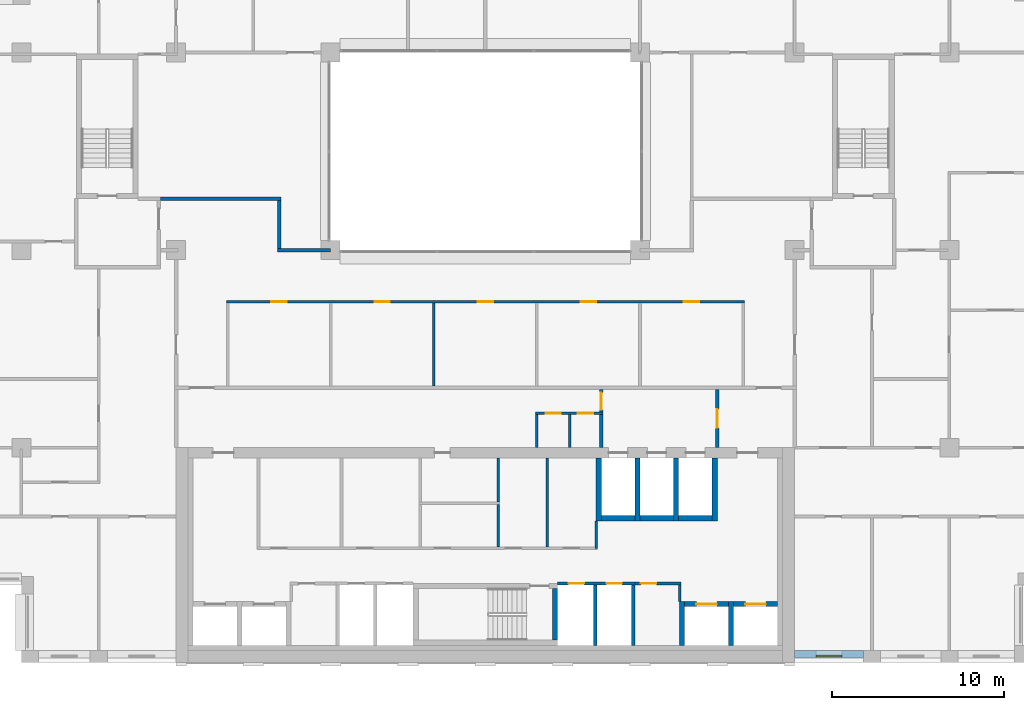
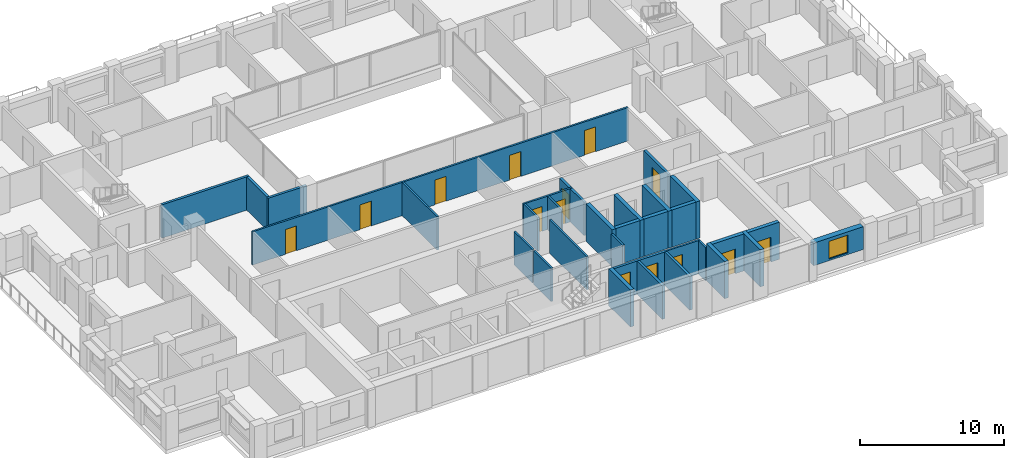
# One storey, part 10 of 15: 33 walls, 14 doors, 1 window, 15 openings.
"""IFC4 building model written with IfcOpenShell, lengths in metres."""

from ifc_helpers import new_model, si_unit, direction, frame, frame_2d, origin, place, context, subcontext, project, spatial, rectangle, extrude, material, layer, layer_set, type_object, element, fill, save


model = new_model("IFC4")

# Units and contexts
model_context = context("Model", 3, precision=1e-05, world=origin(), true_north=direction((0.0, 1.0)))
body_context = subcontext(model_context, "Body", "Model", "MODEL_VIEW")
ifc_project = project(units=[si_unit("LENGTHUNIT", "METRE"), si_unit("AREAUNIT", "SQUARE_METRE"), si_unit("VOLUMEUNIT", "CUBIC_METRE"), si_unit("PLANEANGLEUNIT", "RADIAN"), si_unit("MASSUNIT", "GRAM", prefix="KILO")], contexts=[model_context])

# Site, building, storey
site_placement = place(None, origin())
site = spatial("IfcSite", under=ifc_project, at=site_placement, CompositionType="ELEMENT")
building_placement = place(site_placement, origin())
building = spatial("IfcBuilding", under=site, at=building_placement, Name="Brigalow Station Residences", CompositionType="ELEMENT")
storey_placement = place(building_placement, frame((0.0, 0.0, 147.60009765625)))
storey = spatial("IfcBuildingStorey", under=building, at=storey_placement, Name="L42", CompositionType="ELEMENT", Elevation=147.60009765625)

# Wall, opening, window
ifc_material_1 = material(Name="Clay brick masonry", Category="masonry")
ifc_layer_1 = layer(ifc_material_1, 0.449951171875)
ifc_layer_set_1 = layer_set([ifc_layer_1], Name="BRICK INFILL WALL 450")
wall_type_1 = type_object("IfcWallType", Name="BRICK INFILL WALL 450", PredefinedType="SOLIDWALL", material=ifc_layer_set_1)
wall_1_placement = place(storey_placement, frame((54.0, 0.47509765625, 0.89990234375), z_axis=(0.0, 0.0, 1.0), x_axis=(1.0, 0.0, 0.0)))
wall_1 = element("IfcWall", 1, at=wall_1_placement, inside=storey, type_object=wall_type_1, Name="L42/ewall/W-L42-4", PredefinedType="SOLIDWALL", context=body_context, shape_type="SweptSolid", body=[
    extrude(rectangle(XDim=4.0, YDim=0.449951171875, at=frame_2d((2.0, 0.0))), origin(), (0.0, 0.0, 1.0), 1.929931640625),
])
opening_1_placement = place(wall_1_placement, frame((1.25, 0.0, 0.14990234375)))
opening_1 = element("IfcOpeningElement", 2, at=opening_1_placement, cuts=wall_1, Name="Opening WT-1", PredefinedType="OPENING", context=body_context, shape_type="SweptSolid", body=[
    extrude(rectangle(XDim=1.5, YDim=1.5, at=frame_2d((0.75, 0.75))), frame((0.0, 0.23486328125, 0.0), z_axis=(0.0, -1.0, 0.0), x_axis=(1.0, 0.0, 0.0)), (0.0, 0.0, 1.0), 0.469970703125),
])
ifc_material_2 = material(Name="Anodised aluminium frame with double glazing", Category="aluminium")
window_type = type_object("IfcWindowType", Name="WINDOW 1500x1500", PartitioningType="SINGLE_PANEL", PredefinedType="WINDOW", material=ifc_material_2)
window_placement = place(opening_1_placement, origin())
window = element("IfcWindow", 3, at=window_placement, inside=storey, type_object=window_type, Name="L42/window/W-L42-4", OverallHeight=1.5, OverallWidth=1.5, PartitioningType="SINGLE_PANEL", PredefinedType="WINDOW", context=body_context, shape_type="SweptSolid", body=[
    extrude(rectangle(XDim=1.5, YDim=1.5, at=frame_2d((0.75, 0.75))), frame((0.0, -0.06494140625, 0.0), z_axis=(0.0, -1.0, 0.0), x_axis=(1.0, 0.0, 0.0)), (0.0, 0.0, 1.0), 0.06005859375),
])
fill(opening_1, window)

# Walls
ifc_material_3 = material(Name="Concrete C65", Category="concrete")
ifc_layer_2 = layer(ifc_material_3, 0.300048828125)
ifc_layer_set_2 = layer_set([ifc_layer_2], Name="CORE SHEAR WALL 300 C65")
wall_type_2 = type_object("IfcWallType", Name="CORE SHEAR WALL 300 C65", PredefinedType="SHEAR", material=ifc_layer_set_2)
wall_2_placement = place(storey_placement, frame((42.75, 8.39990234375, 0.0), z_axis=(0.0, 0.0, 1.0), x_axis=(1.0, 0.0, 0.0)))
element("IfcWall", 4, at=wall_2_placement, inside=storey, type_object=wall_type_2, Name="CORE WALL SH-FF1-S L42", PredefinedType="SHEAR", context=body_context, shape_type="SweptSolid", body=[
    extrude(rectangle(XDim=1.949951171875, YDim=0.300048828125, at=frame_2d((0.97509765625, 0.0))), origin(), (0.0, 0.0, 1.0), 3.14990234375),
])
wall_3_placement = place(storey_placement, frame((42.60009765625, 8.25, 0.0), z_axis=(0.0, 0.0, 1.0), x_axis=(0.0, 1.0, 0.0)))
element("IfcWall", 5, at=wall_3_placement, inside=storey, type_object=wall_type_2, Name="CORE WALL SH-FF1-W L42", PredefinedType="SHEAR", context=body_context, shape_type="SweptSolid", body=[
    extrude(rectangle(XDim=3.64990234375, YDim=0.300048828125, at=frame_2d((1.824951171875, 0.0))), origin(), (0.0, 0.0, 1.0), 3.14990234375),
])
wall_4_placement = place(storey_placement, frame((45.0, 8.39990234375, 0.0), z_axis=(0.0, 0.0, 1.0), x_axis=(1.0, 0.0, 0.0)))
element("IfcWall", 6, at=wall_4_placement, inside=storey, type_object=wall_type_2, Name="CORE WALL SH-FF2-S L42", PredefinedType="SHEAR", context=body_context, shape_type="SweptSolid", body=[
    extrude(rectangle(XDim=1.949951171875, YDim=0.300048828125, at=frame_2d((0.97509765625, 0.0))), origin(), (0.0, 0.0, 1.0), 3.14990234375),
])
wall_5_placement = place(storey_placement, frame((44.85009765625, 8.25, 0.0), z_axis=(0.0, 0.0, 1.0), x_axis=(0.0, 1.0, 0.0)))
element("IfcWall", 7, at=wall_5_placement, inside=storey, type_object=wall_type_2, Name="CORE WALL SH-FF2-W L42", PredefinedType="SHEAR", context=body_context, shape_type="SweptSolid", body=[
    extrude(rectangle(XDim=3.64990234375, YDim=0.300048828125, at=frame_2d((1.824951171875, 0.0))), origin(), (0.0, 0.0, 1.0), 3.14990234375),
])
wall_6_placement = place(storey_placement, frame((47.25, 8.39990234375, 0.0), z_axis=(0.0, 0.0, 1.0), x_axis=(1.0, 0.0, 0.0)))
element("IfcWall", 8, at=wall_6_placement, inside=storey, type_object=wall_type_2, Name="CORE WALL SH-SL1-S L42", PredefinedType="SHEAR", context=body_context, shape_type="SweptSolid", body=[
    extrude(rectangle(XDim=1.949951171875, YDim=0.300048828125, at=frame_2d((0.97509765625, 0.0))), origin(), (0.0, 0.0, 1.0), 3.14990234375),
])
for number, where, z_axis, x_axis, name in (
    (9, (47.10009765625, 8.25, 0.0), (0.0, 0.0, 1.0), (0.0, 1.0, 0.0), "CORE WALL SH-SL1-W L42"),
    (10, (49.35009765625, 8.25, 0.0), (0.0, 0.0, 1.0), (0.0, 1.0, 0.0), "CORE WALL SH-SL1-E L42"),
):
    element("IfcWall", number, at=place(storey_placement, frame(where, z_axis=z_axis, x_axis=x_axis)), inside=storey, type_object=wall_type_2, Name=name, PredefinedType="SHEAR", context=body_context, shape_type="SweptSolid", body=[
        extrude(rectangle(XDim=3.64990234375, YDim=0.300048828125, at=frame_2d((1.824951171875, 0.0))), origin(), (0.0, 0.0, 1.0), 3.14990234375),
    ])

# Wall, opening, door
wall_7_placement = place(storey_placement, frame((47.60009765625, 3.39990234375, 0.0), z_axis=(0.0, 0.0, 1.0), x_axis=(1.0, 0.0, 0.0)))
wall_7 = element("IfcWall", 11, at=wall_7_placement, inside=storey, type_object=wall_type_2, Name="CORE WALL SH-C3-N L42", PredefinedType="SHEAR", context=body_context, shape_type="SweptSolid", body=[
    extrude(rectangle(XDim=2.5498046875, YDim=0.300048828125, at=frame_2d((1.27490234375, 0.0))), origin(), (0.0, 0.0, 1.0), 3.14990234375),
])
opening_2_placement = place(wall_7_placement, frame((0.675048828125, 0.0, 0.0)))
opening_2 = element("IfcOpeningElement", 12, at=opening_2_placement, cuts=wall_7, Name="Opening LD-LB3", PredefinedType="OPENING", context=body_context, shape_type="SweptSolid", body=[
    extrude(rectangle(XDim=1.199951171875, YDim=2.10009765625, at=frame_2d((0.60009765625, 1.050048828125))), frame((0.0, 0.16015625, 0.0), z_axis=(0.0, -1.0, 0.0), x_axis=(1.0, 0.0, 0.0)), (0.0, 0.0, 1.0), 0.320068359375),
])
ifc_material_4 = material(Name="Stainless steel sliding door leaves", Category="steel")
door_type_1 = type_object("IfcDoorType", Name="LIFT LANDING DOOR 1200 x 2100", OperationType="DOUBLE_DOOR_SLIDING", PredefinedType="DOOR", material=ifc_material_4)
door_1_placement = place(opening_2_placement, origin())
door_1 = element("IfcDoor", 13, at=door_1_placement, inside=storey, type_object=door_type_1, Name="LANDING DOOR LB3", OperationType="DOUBLE_DOOR_SLIDING", OverallHeight=2.10009765625, OverallWidth=1.199951171875, PredefinedType="DOOR", context=body_context, shape_type="SweptSolid", body=[
    extrude(rectangle(XDim=1.199951171875, YDim=2.10009765625, at=frame_2d((0.60009765625, 1.050048828125))), frame((0.0, 0.02490234375, 0.0), z_axis=(0.0, -1.0, 0.0), x_axis=(1.0, 0.0, 0.0)), (0.0, 0.0, 1.0), 0.050048828125),
])
fill(opening_2, door_1)

# Wall
wall_8_placement = place(storey_placement, frame((47.449951171875, 1.0, 0.0), z_axis=(0.0, 0.0, 1.0), x_axis=(0.0, 1.0, 0.0)))
element("IfcWall", 14, at=wall_8_placement, inside=storey, type_object=wall_type_2, Name="CORE WALL SH-C3-W L42", PredefinedType="SHEAR", context=body_context, shape_type="SweptSolid", body=[
    extrude(rectangle(XDim=2.550048828125, YDim=0.300048828125, at=frame_2d((1.27490234375, 0.0))), origin(), (0.0, 0.0, 1.0), 3.14990234375),
])

# Wall, opening, door
wall_9_placement = place(storey_placement, frame((50.449951171875, 3.39990234375, 0.0), z_axis=(0.0, 0.0, 1.0), x_axis=(1.0, 0.0, 0.0)))
wall_9 = element("IfcWall", 15, at=wall_9_placement, inside=storey, type_object=wall_type_2, Name="CORE WALL SH-C4-N L42", PredefinedType="SHEAR", context=body_context, shape_type="SweptSolid", body=[
    extrude(rectangle(XDim=2.550048828125, YDim=0.300048828125, at=frame_2d((1.27490234375, 0.0))), origin(), (0.0, 0.0, 1.0), 3.14990234375),
])
opening_3_placement = place(wall_9_placement, frame((0.675048828125, 0.0, 0.0)))
opening_3 = element("IfcOpeningElement", 16, at=opening_3_placement, cuts=wall_9, Name="Opening LD-LB4", PredefinedType="OPENING", context=body_context, shape_type="SweptSolid", body=[
    extrude(rectangle(XDim=1.199951171875, YDim=2.10009765625, at=frame_2d((0.60009765625, 1.050048828125))), frame((0.0, 0.16015625, 0.0), z_axis=(0.0, -1.0, 0.0), x_axis=(1.0, 0.0, 0.0)), (0.0, 0.0, 1.0), 0.320068359375),
])
door_2_placement = place(opening_3_placement, origin())
door_2 = element("IfcDoor", 17, at=door_2_placement, inside=storey, type_object=door_type_1, Name="LANDING DOOR LB4", OperationType="DOUBLE_DOOR_SLIDING", OverallHeight=2.10009765625, OverallWidth=1.199951171875, PredefinedType="DOOR", context=body_context, shape_type="SweptSolid", body=[
    extrude(rectangle(XDim=1.199951171875, YDim=2.10009765625, at=frame_2d((0.60009765625, 1.050048828125))), frame((0.0, 0.02490234375, 0.0), z_axis=(0.0, -1.0, 0.0), x_axis=(1.0, 0.0, 0.0)), (0.0, 0.0, 1.0), 0.050048828125),
])
fill(opening_3, door_2)

# Walls
wall_10_placement = place(storey_placement, frame((50.300048828125, 1.0, 0.0), z_axis=(0.0, 0.0, 1.0), x_axis=(0.0, 1.0, 0.0)))
element("IfcWall", 18, at=wall_10_placement, inside=storey, type_object=wall_type_2, Name="CORE WALL SH-C4-W L42", PredefinedType="SHEAR", context=body_context, shape_type="SweptSolid", body=[
    extrude(rectangle(XDim=2.550048828125, YDim=0.300048828125, at=frame_2d((1.27490234375, 0.0))), origin(), (0.0, 0.0, 1.0), 3.14990234375),
])
wall_11_placement = place(storey_placement, frame((40.050048828125, 1.300048828125, 0.0), z_axis=(0.0, 0.0, 1.0), x_axis=(0.0, 1.0, 0.0)))
element("IfcWall", 19, at=wall_11_placement, inside=storey, type_object=wall_type_2, Name="CORE WALL ST-S2-E L42", PredefinedType="SHEAR", context=body_context, shape_type="SweptSolid", body=[
    extrude(rectangle(XDim=3.0, YDim=0.300048828125, at=frame_2d((1.5, 0.0))), origin(), (0.0, 0.0, 1.0), 3.14990234375),
])

# Wall, openings, doors
ifc_material_5 = material(Name="Concrete blockwork", Category="masonry")
ifc_layer_3 = layer(ifc_material_5, 0.199951171875)
ifc_layer_set_3 = layer_set([ifc_layer_3], Name="FIRE RATED CORE PARTITION 200")
wall_type_3 = type_object("IfcWallType", Name="FIRE RATED CORE PARTITION 200", PredefinedType="PARTITIONING", material=ifc_layer_set_3)
wall_12_placement = place(storey_placement, frame((40.199951171875, 4.60009765625, 0.0), z_axis=(0.0, 0.0, 1.0), x_axis=(1.0, 0.0, 0.0)))
wall_12 = element("IfcWall", 20, at=wall_12_placement, inside=storey, type_object=wall_type_3, Name="PW-5018", PredefinedType="PARTITIONING", context=body_context, shape_type="SweptSolid", body=[
    extrude(rectangle(XDim=4.5, YDim=0.199951171875, at=frame_2d((2.25, 0.0))), origin(), (0.0, 0.0, 1.0), 2.829833984375),
])
opening_4_placement = place(wall_12_placement, frame((0.64990234375, 0.0, 0.0)))
opening_4 = element("IfcOpeningElement", 21, at=opening_4_placement, cuts=wall_12, Name="Opening D-5009", PredefinedType="OPENING", context=body_context, shape_type="SweptSolid", body=[
    extrude(rectangle(XDim=0.89990234375, YDim=2.10009765625, at=frame_2d((0.449951171875, 1.050048828125))), frame((0.0, 0.10986328125, 0.0), z_axis=(0.0, -1.0, 0.0), x_axis=(1.0, 0.0, 0.0)), (0.0, 0.0, 1.0), 0.219970703125),
])
opening_5_placement = place(wall_12_placement, frame((2.85009765625, 0.0, 0.0)))
opening_5 = element("IfcOpeningElement", 22, at=opening_5_placement, cuts=wall_12, Name="Opening D-5010", PredefinedType="OPENING", context=body_context, shape_type="SweptSolid", body=[
    extrude(rectangle(XDim=0.89990234375, YDim=2.10009765625, at=frame_2d((0.449951171875, 1.050048828125))), frame((0.0, 0.10986328125, 0.0), z_axis=(0.0, -1.0, 0.0), x_axis=(1.0, 0.0, 0.0)), (0.0, 0.0, 1.0), 0.219970703125),
])
ifc_material_6 = material(Name="Steel fire door leaf in steel frame", Category="steel")
door_type_2 = type_object("IfcDoorType", Name="RISER ACCESS DOOR 900 x 2100 FD120", OperationType="SINGLE_SWING_LEFT", PredefinedType="DOOR", material=ifc_material_6)
door_3_placement = place(opening_4_placement, frame((0.89990234375, 0.0, 0.0), z_axis=(0.0, 0.0, 1.0), x_axis=(-1.0, 0.0, 0.0)))
door_3 = element("IfcDoor", 23, at=door_3_placement, inside=storey, type_object=door_type_2, Name="D-5009", OperationType="SINGLE_SWING_LEFT", OverallHeight=2.10009765625, OverallWidth=0.89990234375, PredefinedType="DOOR", context=body_context, shape_type="SweptSolid", body=[
    extrude(rectangle(XDim=0.89990234375, YDim=2.10009765625, at=frame_2d((0.449951171875, 1.050048828125))), frame((0.0, 0.02490234375, 0.0), z_axis=(0.0, -1.0, 0.0), x_axis=(1.0, 0.0, 0.0)), (0.0, 0.0, 1.0), 0.050048828125),
])
fill(opening_4, door_3)
door_4_placement = place(opening_5_placement, frame((0.89990234375, 0.0, 0.0), z_axis=(0.0, 0.0, 1.0), x_axis=(-1.0, 0.0, 0.0)))
door_4 = element("IfcDoor", 24, at=door_4_placement, inside=storey, type_object=door_type_2, Name="D-5010", OperationType="SINGLE_SWING_LEFT", OverallHeight=2.10009765625, OverallWidth=0.89990234375, PredefinedType="DOOR", context=body_context, shape_type="SweptSolid", body=[
    extrude(rectangle(XDim=0.89990234375, YDim=2.10009765625, at=frame_2d((0.449951171875, 1.050048828125))), frame((0.0, 0.02490234375, 0.0), z_axis=(0.0, -1.0, 0.0), x_axis=(1.0, 0.0, 0.0)), (0.0, 0.0, 1.0), 0.050048828125),
])
fill(opening_5, door_4)

# Walls
for number, where, z_axis, x_axis, name in (
    (25, (42.39990234375, 1.0, 0.0), (0.0, 0.0, 1.0), (0.0, 1.0, 0.0), "PW-5007"),
    (26, (44.60009765625, 1.0, 0.0), (0.0, 0.0, 1.0), (0.0, 1.0, 0.0), "PW-5008"),
):
    element("IfcWall", number, at=place(storey_placement, frame(where, z_axis=z_axis, x_axis=x_axis)), inside=storey, type_object=wall_type_3, Name=name, PredefinedType="PARTITIONING", context=body_context, shape_type="SweptSolid", body=[
        extrude(rectangle(XDim=3.5, YDim=0.199951171875, at=frame_2d((1.75, 0.0))), origin(), (0.0, 0.0, 1.0), 2.829833984375),
    ])
wall_13_placement = place(storey_placement, frame((42.75, 12.5, 0.0), z_axis=(0.0, 0.0, 1.0), x_axis=(0.0, 1.0, 0.0)))
element("IfcWall", 27, at=wall_13_placement, inside=storey, type_object=wall_type_3, Name="PW-5046", PredefinedType="PARTITIONING", context=body_context, shape_type="SweptSolid", body=[
    extrude(rectangle(XDim=1.925048828125, YDim=0.199951171875, at=frame_2d((0.96240234375, 0.0))), origin(), (0.0, 0.0, 1.0), 2.829833984375),
])

# Wall, opening, door
wall_14_placement = place(storey_placement, frame((49.5, 12.5, 0.0), z_axis=(0.0, 0.0, 1.0), x_axis=(0.0, 1.0, 0.0)))
wall_14 = element("IfcWall", 28, at=wall_14_placement, inside=storey, type_object=wall_type_3, Name="PW-5015", PredefinedType="PARTITIONING", context=body_context, shape_type="SweptSolid", body=[
    extrude(rectangle(XDim=3.39990234375, YDim=0.199951171875, at=frame_2d((1.699951171875, 0.0))), origin(), (0.0, 0.0, 1.0), 2.829833984375),
])
opening_6_placement = place(wall_14_placement, frame((1.14990234375, 0.0, 0.0)))
opening_6 = element("IfcOpeningElement", 29, at=opening_6_placement, cuts=wall_14, Name="Opening D-5014", PredefinedType="OPENING", context=body_context, shape_type="SweptSolid", body=[
    extrude(rectangle(XDim=1.10009765625, YDim=2.10009765625, at=frame_2d((0.550048828125, 1.050048828125))), frame((0.0, 0.10986328125, 0.0), z_axis=(0.0, -1.0, 0.0), x_axis=(1.0, 0.0, 0.0)), (0.0, 0.0, 1.0), 0.219970703125),
])
ifc_material_7 = material(Name="Steel fire door leaf in steel frame", Category="steel")
door_type_3 = type_object("IfcDoorType", Name="LOBBY DOOR 1100 x 2100 FD60S", OperationType="SINGLE_SWING_LEFT", PredefinedType="DOOR", material=ifc_material_7)
door_5_placement = place(opening_6_placement, origin())
door_5 = element("IfcDoor", 30, at=door_5_placement, inside=storey, type_object=door_type_3, Name="D-5014", OperationType="SINGLE_SWING_LEFT", OverallHeight=2.10009765625, OverallWidth=1.10009765625, PredefinedType="DOOR", context=body_context, shape_type="SweptSolid", body=[
    extrude(rectangle(XDim=1.10009765625, YDim=2.10009765625, at=frame_2d((0.550048828125, 1.050048828125))), frame((0.0, 0.02490234375, 0.0), z_axis=(0.0, -1.0, 0.0), x_axis=(1.0, 0.0, 0.0)), (0.0, 0.0, 1.0), 0.050048828125),
])
fill(opening_6, door_5)

wall_15_placement = place(storey_placement, frame((42.75, 14.574951171875, 0.0), z_axis=(0.0, 0.0, 1.0), x_axis=(0.0, 1.0, 0.0)))
wall_15 = element("IfcWall", 31, at=wall_15_placement, inside=storey, type_object=wall_type_3, Name="PW-5047", PredefinedType="PARTITIONING", context=body_context, shape_type="SweptSolid", body=[
    extrude(rectangle(XDim=1.324951171875, YDim=0.199951171875, at=frame_2d((0.66259765625, 0.0))), origin(), (0.0, 0.0, 1.0), 2.829833984375),
])
opening_7_placement = place(wall_15_placement, frame((0.125, 0.0, 0.0)))
opening_7 = element("IfcOpeningElement", 32, at=opening_7_placement, cuts=wall_15, Name="Opening D-5013", PredefinedType="OPENING", context=body_context, shape_type="SweptSolid", body=[
    extrude(rectangle(XDim=1.0, YDim=2.10009765625, at=frame_2d((0.5, 1.050048828125))), frame((0.0, 0.10986328125, 0.0), z_axis=(0.0, -1.0, 0.0), x_axis=(1.0, 0.0, 0.0)), (0.0, 0.0, 1.0), 0.219970703125),
])
ifc_material_8 = material(Name="Steel fire door leaf in steel frame", Category="steel")
door_type_4 = type_object("IfcDoorType", Name="LOBBY DOOR 1000 x 2100 FD60S", OperationType="SINGLE_SWING_LEFT", PredefinedType="DOOR", material=ifc_material_8)
door_6_placement = place(opening_7_placement, origin())
door_6 = element("IfcDoor", 33, at=door_6_placement, inside=storey, type_object=door_type_4, Name="D-5013", OperationType="SINGLE_SWING_LEFT", OverallHeight=2.10009765625, OverallWidth=1.0, PredefinedType="DOOR", context=body_context, shape_type="SweptSolid", body=[
    extrude(rectangle(XDim=1.0, YDim=2.10009765625, at=frame_2d((0.5, 1.050048828125))), frame((0.0, 0.02490234375, 0.0), z_axis=(0.0, -1.0, 0.0), x_axis=(1.0, 0.0, 0.0)), (0.0, 0.0, 1.0), 0.050048828125),
])
fill(opening_7, door_6)

# Wall, openings, doors
ifc_material_9 = material(Name="Plasterboard on steel stud partition", Category="steel")
ifc_layer_4 = layer(ifc_material_9, 0.14990234375)
ifc_layer_set_4 = layer_set([ifc_layer_4], Name="FLAT PARTITION 150")
wall_type_4 = type_object("IfcWallType", Name="FLAT PARTITION 150", PredefinedType="PARTITIONING", material=ifc_layer_set_4)
wall_16_placement = place(storey_placement, frame((20.925048828125, 21.0, 0.0), z_axis=(0.0, 0.0, 1.0), x_axis=(1.0, 0.0, 0.0)))
wall_16 = element("IfcWall", 34, at=wall_16_placement, inside=storey, type_object=wall_type_4, Name="PW-3A06", PredefinedType="PARTITIONING", context=body_context, shape_type="SweptSolid", body=[
    extrude(rectangle(XDim=30.14990234375, YDim=0.14990234375, at=frame_2d((15.074951171875, 0.0))), origin(), (0.0, 0.0, 1.0), 2.829833984375),
])
opening_8_placement = place(wall_16_placement, frame((2.625, 0.0, 0.0)))
opening_8 = element("IfcOpeningElement", 35, at=opening_8_placement, cuts=wall_16, Name="Opening D-3A37", PredefinedType="OPENING", context=body_context, shape_type="SweptSolid", body=[
    extrude(rectangle(XDim=0.89990234375, YDim=2.10009765625, at=frame_2d((0.449951171875, 1.050048828125))), frame((0.0, 0.0849609375, 0.0), z_axis=(0.0, -1.0, 0.0), x_axis=(1.0, 0.0, 0.0)), (0.0, 0.0, 1.0), 0.169921875),
])
opening_9_placement = place(wall_16_placement, frame((8.625, 0.0, 0.0)))
opening_9 = element("IfcOpeningElement", 36, at=opening_9_placement, cuts=wall_16, Name="Opening D-3A38", PredefinedType="OPENING", context=body_context, shape_type="SweptSolid", body=[
    extrude(rectangle(XDim=0.89990234375, YDim=2.10009765625, at=frame_2d((0.449951171875, 1.050048828125))), frame((0.0, 0.0849609375, 0.0), z_axis=(0.0, -1.0, 0.0), x_axis=(1.0, 0.0, 0.0)), (0.0, 0.0, 1.0), 0.169921875),
])
opening_10_placement = place(wall_16_placement, frame((14.625, 0.0, 0.0)))
opening_10 = element("IfcOpeningElement", 37, at=opening_10_placement, cuts=wall_16, Name="Opening D-3A39", PredefinedType="OPENING", context=body_context, shape_type="SweptSolid", body=[
    extrude(rectangle(XDim=0.89990234375, YDim=2.10009765625, at=frame_2d((0.449951171875, 1.050048828125))), frame((0.0, 0.0849609375, 0.0), z_axis=(0.0, -1.0, 0.0), x_axis=(1.0, 0.0, 0.0)), (0.0, 0.0, 1.0), 0.169921875),
])
opening_11_placement = place(wall_16_placement, frame((20.625, 0.0, 0.0)))
opening_11 = element("IfcOpeningElement", 38, at=opening_11_placement, cuts=wall_16, Name="Opening D-3A40", PredefinedType="OPENING", context=body_context, shape_type="SweptSolid", body=[
    extrude(rectangle(XDim=0.89990234375, YDim=2.10009765625, at=frame_2d((0.449951171875, 1.050048828125))), frame((0.0, 0.0849609375, 0.0), z_axis=(0.0, -1.0, 0.0), x_axis=(1.0, 0.0, 0.0)), (0.0, 0.0, 1.0), 0.169921875),
])
opening_12_placement = place(wall_16_placement, frame((26.625, 0.0, 0.0)))
opening_12 = element("IfcOpeningElement", 39, at=opening_12_placement, cuts=wall_16, Name="Opening D-3A41", PredefinedType="OPENING", context=body_context, shape_type="SweptSolid", body=[
    extrude(rectangle(XDim=0.89990234375, YDim=2.10009765625, at=frame_2d((0.449951171875, 1.050048828125))), frame((0.0, 0.0849609375, 0.0), z_axis=(0.0, -1.0, 0.0), x_axis=(1.0, 0.0, 0.0)), (0.0, 0.0, 1.0), 0.169921875),
])
ifc_material_10 = material(Name="Solid-core timber door leaf", Category="wood")
door_type_5 = type_object("IfcDoorType", Name="INTERNAL DOOR 900 x 2100", OperationType="SINGLE_SWING_LEFT", PredefinedType="DOOR", material=ifc_material_10)
door_7_placement = place(opening_8_placement, frame((0.89990234375, 0.0, 0.0), z_axis=(0.0, 0.0, 1.0), x_axis=(-1.0, 0.0, 0.0)))
door_7 = element("IfcDoor", 40, at=door_7_placement, inside=storey, type_object=door_type_5, Name="D-3A37", OperationType="SINGLE_SWING_RIGHT", OverallHeight=2.10009765625, OverallWidth=0.89990234375, PredefinedType="DOOR", context=body_context, shape_type="SweptSolid", body=[
    extrude(rectangle(XDim=0.89990234375, YDim=2.10009765625, at=frame_2d((0.449951171875, 1.050048828125))), frame((0.0, 0.02490234375, 0.0), z_axis=(0.0, -1.0, 0.0), x_axis=(1.0, 0.0, 0.0)), (0.0, 0.0, 1.0), 0.050048828125),
])
fill(opening_8, door_7)
door_8_placement = place(opening_9_placement, frame((0.89990234375, 0.0, 0.0), z_axis=(0.0, 0.0, 1.0), x_axis=(-1.0, 0.0, 0.0)))
door_8 = element("IfcDoor", 41, at=door_8_placement, inside=storey, type_object=door_type_5, Name="D-3A38", OperationType="SINGLE_SWING_LEFT", OverallHeight=2.10009765625, OverallWidth=0.89990234375, PredefinedType="DOOR", context=body_context, shape_type="SweptSolid", body=[
    extrude(rectangle(XDim=0.89990234375, YDim=2.10009765625, at=frame_2d((0.449951171875, 1.050048828125))), frame((0.0, 0.02490234375, 0.0), z_axis=(0.0, -1.0, 0.0), x_axis=(1.0, 0.0, 0.0)), (0.0, 0.0, 1.0), 0.050048828125),
])
fill(opening_9, door_8)
door_9_placement = place(opening_10_placement, frame((0.89990234375, 0.0, 0.0), z_axis=(0.0, 0.0, 1.0), x_axis=(-1.0, 0.0, 0.0)))
door_9 = element("IfcDoor", 42, at=door_9_placement, inside=storey, type_object=door_type_5, Name="D-3A39", OperationType="SINGLE_SWING_LEFT", OverallHeight=2.10009765625, OverallWidth=0.89990234375, PredefinedType="DOOR", context=body_context, shape_type="SweptSolid", body=[
    extrude(rectangle(XDim=0.89990234375, YDim=2.10009765625, at=frame_2d((0.449951171875, 1.050048828125))), frame((0.0, 0.02490234375, 0.0), z_axis=(0.0, -1.0, 0.0), x_axis=(1.0, 0.0, 0.0)), (0.0, 0.0, 1.0), 0.050048828125),
])
fill(opening_10, door_9)
door_10_placement = place(opening_11_placement, frame((0.89990234375, 0.0, 0.0), z_axis=(0.0, 0.0, 1.0), x_axis=(-1.0, 0.0, 0.0)))
door_10 = element("IfcDoor", 43, at=door_10_placement, inside=storey, type_object=door_type_5, Name="D-3A40", OperationType="SINGLE_SWING_LEFT", OverallHeight=2.10009765625, OverallWidth=0.89990234375, PredefinedType="DOOR", context=body_context, shape_type="SweptSolid", body=[
    extrude(rectangle(XDim=0.89990234375, YDim=2.10009765625, at=frame_2d((0.449951171875, 1.050048828125))), frame((0.0, 0.02490234375, 0.0), z_axis=(0.0, -1.0, 0.0), x_axis=(1.0, 0.0, 0.0)), (0.0, 0.0, 1.0), 0.050048828125),
])
fill(opening_11, door_10)
door_11_placement = place(opening_12_placement, frame((0.89990234375, 0.0, 0.0), z_axis=(0.0, 0.0, 1.0), x_axis=(-1.0, 0.0, 0.0)))
door_11 = element("IfcDoor", 44, at=door_11_placement, inside=storey, type_object=door_type_5, Name="D-3A41", OperationType="SINGLE_SWING_RIGHT", OverallHeight=2.10009765625, OverallWidth=0.89990234375, PredefinedType="DOOR", context=body_context, shape_type="SweptSolid", body=[
    extrude(rectangle(XDim=0.89990234375, YDim=2.10009765625, at=frame_2d((0.449951171875, 1.050048828125))), frame((0.0, 0.02490234375, 0.0), z_axis=(0.0, -1.0, 0.0), x_axis=(1.0, 0.0, 0.0)), (0.0, 0.0, 1.0), 0.050048828125),
])
fill(opening_12, door_11)

# Walls
wall_17_placement = place(storey_placement, frame((33.0, 16.10009765625, 0.0), z_axis=(0.0, 0.0, 1.0), x_axis=(0.0, 1.0, 0.0)))
element("IfcWall", 45, at=wall_17_placement, inside=storey, type_object=wall_type_4, Name="PW-3A54", PredefinedType="PARTITIONING", context=body_context, shape_type="SweptSolid", body=[
    extrude(rectangle(XDim=4.824951171875, YDim=0.14990234375, at=frame_2d((2.41259765625, 0.0))), origin(), (0.0, 0.0, 1.0), 2.829833984375),
])
ifc_material_11 = material(Name="Plasterboard on steel stud partition", Category="steel")
ifc_layer_5 = layer(ifc_material_11, 0.199951171875)
ifc_layer_set_5 = layer_set([ifc_layer_5], Name="PARTY AND CORRIDOR WALL 200")
wall_type_5 = type_object("IfcWallType", Name="PARTY AND CORRIDOR WALL 200", PredefinedType="PARTITIONING", material=ifc_layer_set_5)
wall_18_placement = place(storey_placement, frame((23.89990234375, 24.0, 0.0), z_axis=(0.0, 0.0, 1.0), x_axis=(1.0, 0.0, 0.0)))
element("IfcWall", 46, at=wall_18_placement, inside=storey, type_object=wall_type_5, Name="PW-3A03", PredefinedType="PARTITIONING", context=body_context, shape_type="SweptSolid", body=[
    extrude(rectangle(XDim=3.10009765625, YDim=0.199951171875, at=frame_2d((1.550048828125, 0.0))), origin(), (0.0, 0.0, 1.0), 2.829833984375),
])
wall_19_placement = place(storey_placement, frame((17.10009765625, 27.0, 0.0), z_axis=(0.0, 0.0, 1.0), x_axis=(1.0, 0.0, 0.0)))
element("IfcWall", 47, at=wall_19_placement, inside=storey, type_object=wall_type_5, Name="PW-3A07", PredefinedType="PARTITIONING", context=body_context, shape_type="SweptSolid", body=[
    extrude(rectangle(XDim=7.0, YDim=0.199951171875, at=frame_2d((3.5, 0.0))), origin(), (0.0, 0.0, 1.0), 2.829833984375),
])
wall_20_placement = place(storey_placement, frame((24.0, 24.10009765625, 0.0), z_axis=(0.0, 0.0, 1.0), x_axis=(0.0, 1.0, 0.0)))
element("IfcWall", 48, at=wall_20_placement, inside=storey, type_object=wall_type_5, Name="PW-3A35", PredefinedType="PARTITIONING", context=body_context, shape_type="SweptSolid", body=[
    extrude(rectangle(XDim=2.7998046875, YDim=0.199951171875, at=frame_2d((1.39990234375, 0.0))), origin(), (0.0, 0.0, 1.0), 2.829833984375),
])

# Wall, opening, door
ifc_material_12 = material(Name="Plasterboard on steel studs", Category="steel")
ifc_layer_6 = layer(ifc_material_12, 0.14990234375)
ifc_layer_set_6 = layer_set([ifc_layer_6], Name="SERVICE ROOM PARTITION 150")
wall_type_6 = type_object("IfcWallType", Name="SERVICE ROOM PARTITION 150", PredefinedType="PARTITIONING", material=ifc_layer_set_6)
wall_21_placement = place(storey_placement, frame((44.699951171875, 4.60009765625, 0.0), z_axis=(0.0, 0.0, 1.0), x_axis=(1.0, 0.0, 0.0)))
wall_21 = element("IfcWall", 49, at=wall_21_placement, inside=storey, type_object=wall_type_6, Name="PW-5156", PredefinedType="PARTITIONING", context=body_context, shape_type="SweptSolid", body=[
    extrude(rectangle(XDim=2.675048828125, YDim=0.14990234375, at=frame_2d((1.33740234375, 0.0))), origin(), (0.0, 0.0, 1.0), 2.829833984375),
])
opening_13_placement = place(wall_21_placement, frame((0.35009765625, 0.0, 0.0)))
opening_13 = element("IfcOpeningElement", 50, at=opening_13_placement, cuts=wall_21, Name="Opening D-5026", PredefinedType="OPENING", context=body_context, shape_type="SweptSolid", body=[
    extrude(rectangle(XDim=0.89990234375, YDim=2.10009765625, at=frame_2d((0.449951171875, 1.050048828125))), frame((0.0, 0.0849609375, 0.0), z_axis=(0.0, -1.0, 0.0), x_axis=(1.0, 0.0, 0.0)), (0.0, 0.0, 1.0), 0.169921875),
])
ifc_material_13 = material(Name="Steel door leaf in steel frame", Category="steel")
door_type_6 = type_object("IfcDoorType", Name="SERVICE ROOM DOOR 900 x 2100 FD60", OperationType="SINGLE_SWING_LEFT", PredefinedType="DOOR", material=ifc_material_13)
door_12_placement = place(opening_13_placement, frame((0.89990234375, 0.0, 0.0), z_axis=(0.0, 0.0, 1.0), x_axis=(-1.0, 0.0, 0.0)))
door_12 = element("IfcDoor", 51, at=door_12_placement, inside=storey, type_object=door_type_6, Name="D-5026", OperationType="SINGLE_SWING_RIGHT", OverallHeight=2.10009765625, OverallWidth=0.89990234375, PredefinedType="DOOR", context=body_context, shape_type="SweptSolid", body=[
    extrude(rectangle(XDim=0.89990234375, YDim=2.10009765625, at=frame_2d((0.449951171875, 1.050048828125))), frame((0.0, 0.02490234375, 0.0), z_axis=(0.0, -1.0, 0.0), x_axis=(1.0, 0.0, 0.0)), (0.0, 0.0, 1.0), 0.050048828125),
])
fill(opening_13, door_12)

# Wall, openings, doors
wall_22_placement = place(storey_placement, frame((38.925048828125, 14.5, 0.0), z_axis=(0.0, 0.0, 1.0), x_axis=(1.0, 0.0, 0.0)))
wall_22 = element("IfcWall", 52, at=wall_22_placement, inside=storey, type_object=wall_type_6, Name="PW-5129", PredefinedType="PARTITIONING", context=body_context, shape_type="SweptSolid", body=[
    extrude(rectangle(XDim=3.925048828125, YDim=0.14990234375, at=frame_2d((1.96240234375, 0.0))), origin(), (0.0, 0.0, 1.0), 2.829833984375),
])
opening_14_placement = place(wall_22_placement, frame((0.574951171875, 0.0, 0.0)))
opening_14 = element("IfcOpeningElement", 53, at=opening_14_placement, cuts=wall_22, Name="Opening D-5077", PredefinedType="OPENING", context=body_context, shape_type="SweptSolid", body=[
    extrude(rectangle(XDim=0.89990234375, YDim=2.10009765625, at=frame_2d((0.449951171875, 1.050048828125))), frame((0.0, 0.0849609375, 0.0), z_axis=(0.0, -1.0, 0.0), x_axis=(1.0, 0.0, 0.0)), (0.0, 0.0, 1.0), 0.169921875),
])
opening_15_placement = place(wall_22_placement, frame((2.449951171875, 0.0, 0.0)))
opening_15 = element("IfcOpeningElement", 54, at=opening_15_placement, cuts=wall_22, Name="Opening D-5078", PredefinedType="OPENING", context=body_context, shape_type="SweptSolid", body=[
    extrude(rectangle(XDim=0.89990234375, YDim=2.10009765625, at=frame_2d((0.449951171875, 1.050048828125))), frame((0.0, 0.0849609375, 0.0), z_axis=(0.0, -1.0, 0.0), x_axis=(1.0, 0.0, 0.0)), (0.0, 0.0, 1.0), 0.169921875),
])
door_13_placement = place(opening_14_placement, frame((0.89990234375, 0.0, 0.0), z_axis=(0.0, 0.0, 1.0), x_axis=(-1.0, 0.0, 0.0)))
door_13 = element("IfcDoor", 55, at=door_13_placement, inside=storey, type_object=door_type_6, Name="D-5077", OperationType="SINGLE_SWING_RIGHT", OverallHeight=2.10009765625, OverallWidth=0.89990234375, PredefinedType="DOOR", context=body_context, shape_type="SweptSolid", body=[
    extrude(rectangle(XDim=0.89990234375, YDim=2.10009765625, at=frame_2d((0.449951171875, 1.050048828125))), frame((0.0, 0.02490234375, 0.0), z_axis=(0.0, -1.0, 0.0), x_axis=(1.0, 0.0, 0.0)), (0.0, 0.0, 1.0), 0.050048828125),
])
fill(opening_14, door_13)
door_14_placement = place(opening_15_placement, frame((0.89990234375, 0.0, 0.0), z_axis=(0.0, 0.0, 1.0), x_axis=(-1.0, 0.0, 0.0)))
door_14 = element("IfcDoor", 56, at=door_14_placement, inside=storey, type_object=door_type_6, Name="D-5078", OperationType="SINGLE_SWING_LEFT", OverallHeight=2.10009765625, OverallWidth=0.89990234375, PredefinedType="DOOR", context=body_context, shape_type="SweptSolid", body=[
    extrude(rectangle(XDim=0.89990234375, YDim=2.10009765625, at=frame_2d((0.449951171875, 1.050048828125))), frame((0.0, 0.02490234375, 0.0), z_axis=(0.0, -1.0, 0.0), x_axis=(1.0, 0.0, 0.0)), (0.0, 0.0, 1.0), 0.050048828125),
])
fill(opening_15, door_14)

# Walls
wall_23_placement = place(storey_placement, frame((47.300048828125, 3.550048828125, 0.0), z_axis=(0.0, 0.0, 1.0), x_axis=(0.0, 1.0, 0.0)))
element("IfcWall", 57, at=wall_23_placement, inside=storey, type_object=wall_type_6, Name="PW-5158", PredefinedType="PARTITIONING", context=body_context, shape_type="SweptSolid", body=[
    extrude(rectangle(XDim=0.974853515625, YDim=0.14990234375, at=frame_2d((0.4873046875, 0.0))), origin(), (0.0, 0.0, 1.0), 2.829833984375),
])
wall_24_placement = place(storey_placement, frame((42.449951171875, 6.64990234375, 0.0), z_axis=(0.0, 0.0, 1.0), x_axis=(0.0, 1.0, 0.0)))
element("IfcWall", 58, at=wall_24_placement, inside=storey, type_object=wall_type_6, Name="PW-5029", PredefinedType="PARTITIONING", context=body_context, shape_type="SweptSolid", body=[
    extrude(rectangle(XDim=1.60009765625, YDim=0.14990234375, at=frame_2d((0.800048828125, 0.0))), origin(), (0.0, 0.0, 1.0), 2.829833984375),
])
wall_25_placement = place(storey_placement, frame((36.75, 6.72509765625, 0.0), z_axis=(0.0, 0.0, 1.0), x_axis=(0.0, 1.0, 0.0)))
element("IfcWall", 59, at=wall_25_placement, inside=storey, type_object=wall_type_6, Name="PW-5200", PredefinedType="PARTITIONING", context=body_context, shape_type="SweptSolid", body=[
    extrude(rectangle(XDim=2.469970703125, YDim=0.14990234375, at=frame_2d((1.23486328125, 0.0))), origin(), (0.0, 0.0, 1.0), 2.829833984375),
])
wall_26_placement = place(storey_placement, frame((39.60009765625, 6.72509765625, 0.0), z_axis=(0.0, 0.0, 1.0), x_axis=(0.0, 1.0, 0.0)))
element("IfcWall", 60, at=wall_26_placement, inside=storey, type_object=wall_type_6, Name="PW-5201", PredefinedType="PARTITIONING", context=body_context, shape_type="SweptSolid", body=[
    extrude(rectangle(XDim=5.1748046875, YDim=0.14990234375, at=frame_2d((2.58740234375, 0.0))), origin(), (0.0, 0.0, 1.0), 2.829833984375),
])
wall_27_placement = place(storey_placement, frame((36.75, 9.344970703125, 0.0), z_axis=(0.0, 0.0, 1.0), x_axis=(0.0, 1.0, 0.0)))
element("IfcWall", 61, at=wall_27_placement, inside=storey, type_object=wall_type_6, Name="PW-5203", PredefinedType="PARTITIONING", context=body_context, shape_type="SweptSolid", body=[
    extrude(rectangle(XDim=2.554931640625, YDim=0.14990234375, at=frame_2d((1.27734375, 0.0))), origin(), (0.0, 0.0, 1.0), 2.829833984375),
])
for number, where, z_axis, x_axis, name in (
    (62, (39.0, 12.5, 0.0), (0.0, 0.0, 1.0), (0.0, 1.0, 0.0), "PW-5136"),
    (63, (40.89990234375, 12.5, 0.0), (0.0, 0.0, 1.0), (0.0, 1.0, 0.0), "PW-5137"),
):
    element("IfcWall", number, at=place(storey_placement, frame(where, z_axis=z_axis, x_axis=x_axis)), inside=storey, type_object=wall_type_6, Name=name, PredefinedType="PARTITIONING", context=body_context, shape_type="SweptSolid", body=[
        extrude(rectangle(XDim=1.925048828125, YDim=0.14990234375, at=frame_2d((0.96240234375, 0.0))), origin(), (0.0, 0.0, 1.0), 2.829833984375),
    ])

save(model, "model.ifc")
